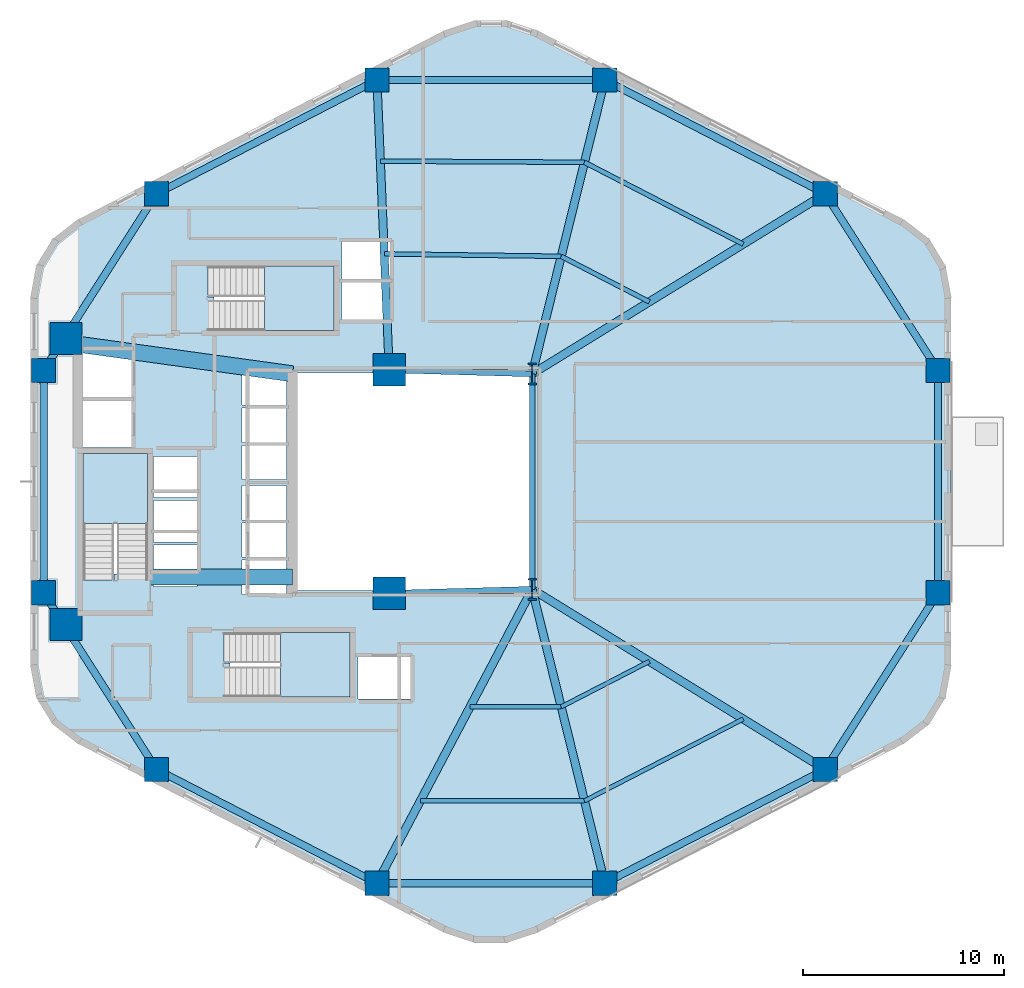
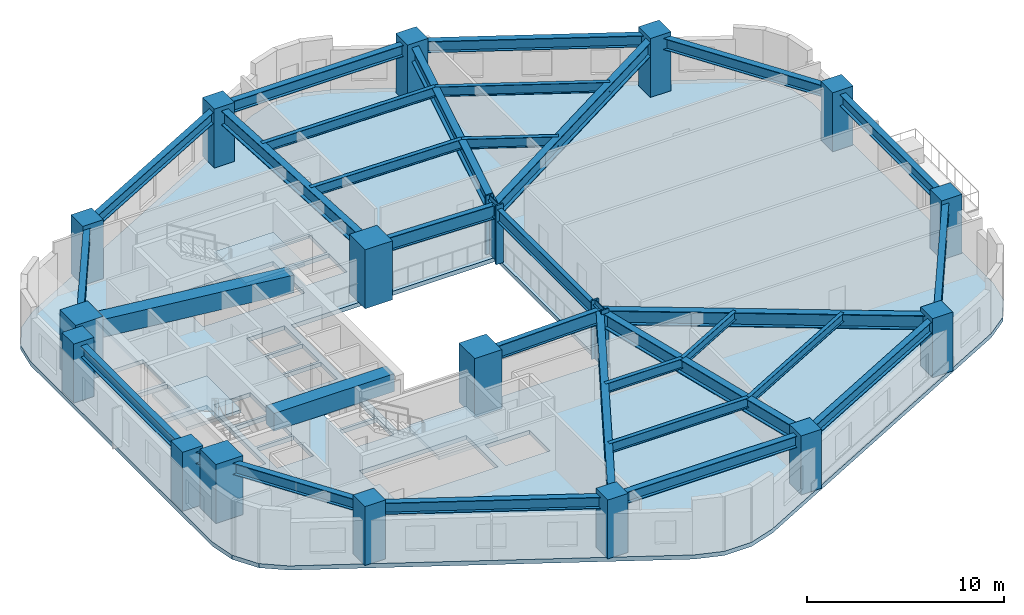
# One storey, part 1 of 7: 31 beams, 18 columns, 4 slabs, 3 elements without a shape of their own.
"""IFC4 building model written with IfcOpenShell, lengths in metres."""

import ifcopenshell
import ifcopenshell.guid

model = None  # the IFC model being written
_history = None  # IfcOwnerHistory: only IFC2X3 demands one
_inside = {}  # id of a spatial element -> (the spatial element, [elements in it])
_under = {}  # id of a project, library or spatial element -> (it, [spatial elements below it])
_declared = {}  # id of a project -> (the project, [libraries it declares])
_typed = {}  # id of a type object -> (the type object, [elements of that type])
_made_of = {}  # id of a material, layer set ... -> (it, [elements and type objects made of it])


def new_model(schema):
    """Start an empty IFC model of exactly this schema.

    Asked for "IFC4X3", IfcOpenShell would pick the latest addendum, in which some entities
    have other attributes; the version numbers below select the first issue.
    IFC2X3 requires an IfcOwnerHistory on every rooted entity: one is made here for all.
    """
    global model, _history
    if schema == "IFC4X3":
        model = ifcopenshell.file(schema_version=(4, 3, 0, 0))
    else:
        model = ifcopenshell.file(schema=schema)
    _inside.clear()
    _under.clear()
    _declared.clear()
    _typed.clear()
    _made_of.clear()
    _history = None
    if model.schema == "IFC2X3":
        org = make("IfcOrganization", Name="unknown")
        user = make(
            "IfcPersonAndOrganization",
            ThePerson=make("IfcPerson", FamilyName="unknown"),
            TheOrganization=org,
        )
        app = make(
            "IfcApplication",
            ApplicationDeveloper=org,
            Version="unknown",
            ApplicationFullName="unknown",
            ApplicationIdentifier="unknown",
        )
        _history = make(
            "IfcOwnerHistory",
            OwningUser=user,
            OwningApplication=app,
            ChangeAction="ADDED",
            CreationDate=0,
        )
    return model


def make(cls, **values):
    """One entity of the class cls with the attributes given. An attribute that is None is left unset."""
    return model.create_entity(
        cls, **{name: value for name, value in values.items() if value is not None}
    )


def rooted(cls, **values):
    """An entity with a GlobalId (a new one), such as an element, a storey or a relation."""
    return make(cls, GlobalId=ifcopenshell.guid.new(), OwnerHistory=_history, **values)


def si_unit(unit_type, name, prefix=None):
    """IfcSIUnit, for example si_unit("LENGTHUNIT", "METRE", prefix="MILLI")."""
    return make("IfcSIUnit", UnitType=unit_type, Prefix=prefix, Name=name)


def assignment(units):
    """IfcUnitAssignment: the units of a project."""
    return None if units is None else make("IfcUnitAssignment", Units=units)


def point(xyz):
    """IfcCartesianPoint."""
    return None if xyz is None else make("IfcCartesianPoint", Coordinates=xyz)


def direction(xyz):
    """IfcDirection."""
    return None if xyz is None else make("IfcDirection", DirectionRatios=xyz)


def frame(location, z_axis=None, x_axis=None):
    """IfcAxis2Placement3D, a coordinate frame: its origin and axes. An axis left out is left unset."""
    return make(
        "IfcAxis2Placement3D",
        Location=point(location),
        Axis=direction(z_axis),
        RefDirection=direction(x_axis),
    )


def frame_2d(location, x_axis=None):
    """IfcAxis2Placement2D, a coordinate frame in the plane: its origin and x axis."""
    return make(
        "IfcAxis2Placement2D", Location=point(location), RefDirection=direction(x_axis)
    )


def origin():
    """The frame at (0, 0, 0) with its axes left unset."""
    return frame((0.0, 0.0, 0.0))


def origin_2d():
    """The frame at (0, 0) in the plane with its x axis left unset."""
    return frame_2d((0.0, 0.0))


def place(relative_to, where):
    """IfcLocalPlacement: puts the frame where relative to a parent placement (None: the world)."""
    return make(
        "IfcLocalPlacement", PlacementRelTo=relative_to, RelativePlacement=where
    )


def context(
    kind, dimensions, precision=None, world=None, true_north=None, identifier=None
):
    """IfcGeometricRepresentationContext, for example the 3D "Model" context."""
    return make(
        "IfcGeometricRepresentationContext",
        ContextIdentifier=identifier,
        ContextType=kind,
        CoordinateSpaceDimension=dimensions,
        Precision=precision,
        WorldCoordinateSystem=world,
        TrueNorth=true_north,
    )


def subcontext(parent, identifier, kind, view, scale=None):
    """IfcGeometricRepresentationSubContext, for example "Body" below "Model"."""
    return make(
        "IfcGeometricRepresentationSubContext",
        ContextIdentifier=identifier,
        ContextType=kind,
        ParentContext=parent,
        TargetScale=scale,
        TargetView=view,
    )


def project(units=None, contexts=None):
    """IfcProject with its units and contexts."""
    return rooted(
        "IfcProject",
        Name="project",
        RepresentationContexts=contexts,
        UnitsInContext=assignment(units),
    )


def spatial(cls, under=None, at=None, **own):
    """A site, building, storey or space (cls), placed at a placement, below another one or the project."""
    s = rooted(cls, ObjectPlacement=at, **own)
    if under is not None:
        _under.setdefault(under.id(), (under, []))[1].append(s)
    return s


def polyline(points):
    """IfcPolyline through the points."""
    return make("IfcPolyline", Points=[point(p) for p in points])


def profile(cls, at=None, kind="AREA", **sizes):
    """A parametric profile (cls). Its sizes go by their IFC names, for example OverallWidth=200.0."""
    return make(cls, ProfileType=kind, Position=at, **sizes)


def rectangle(**sizes):
    """IfcRectangleProfileDef."""
    return profile("IfcRectangleProfileDef", **sizes)


def i_section(**sizes):
    """IfcIShapeProfileDef."""
    return profile("IfcIShapeProfileDef", **sizes)


def outline(outer, holes=None, kind="AREA"):
    """IfcArbitraryClosedProfileDef: a profile drawn as a closed curve; with holes, ...WithVoids."""
    if holes is None:
        return make("IfcArbitraryClosedProfileDef", ProfileType=kind, OuterCurve=outer)
    return make(
        "IfcArbitraryProfileDefWithVoids",
        ProfileType=kind,
        OuterCurve=outer,
        InnerCurves=holes,
    )


def extrude(swept, where, along, depth):
    """IfcExtrudedAreaSolid: the profile swept, set in the frame where, extruded along a direction by depth."""
    return make(
        "IfcExtrudedAreaSolid",
        SweptArea=swept,
        Position=where,
        ExtrudedDirection=direction(along),
        Depth=depth,
    )


def shape(context_of_items, identifier, shape_type, items):
    """IfcShapeRepresentation: the items that make up one representation, for example the "Body"."""
    return make(
        "IfcShapeRepresentation",
        ContextOfItems=context_of_items,
        RepresentationIdentifier=identifier,
        RepresentationType=shape_type,
        Items=items,
    )


def material(Name=None, Category=None):
    """IfcMaterial."""
    return make("IfcMaterial", Name=Name, Category=Category)


def layer(
    of_material, thickness, ventilated=None, Name=None, Category=None, Priority=None
):
    """IfcMaterialLayer: one layer of a wall or slab, of a material (None: an air gap)."""
    return make(
        "IfcMaterialLayer",
        Material=of_material,
        LayerThickness=thickness,
        IsVentilated=ventilated,
        Name=Name,
        Category=Category,
        Priority=Priority,
    )


def layer_set(layers, Name=None):
    """IfcMaterialLayerSet."""
    return make("IfcMaterialLayerSet", MaterialLayers=layers, LayerSetName=Name)


def material_profile(
    of_material, cross_section, Name=None, Category=None, Priority=None
):
    """IfcMaterialProfile: a cross section and its material."""
    return make(
        "IfcMaterialProfile",
        Name=Name,
        Material=of_material,
        Profile=cross_section,
        Priority=Priority,
        Category=Category,
    )


def profile_set(profiles, Name=None, composite=None):
    """IfcMaterialProfileSet."""
    return make(
        "IfcMaterialProfileSet",
        Name=Name,
        MaterialProfiles=profiles,
        CompositeProfile=composite,
    )


def made_of(thing, what):
    """Note that an element or type object is made of a material, layer set ...; save() writes the relation."""
    if what is not None:
        _made_of.setdefault(what.id(), (what, []))[1].append(thing)
    return thing


def type_object(cls, material=None, **own):
    """A type object (cls), such as IfcWallType, which elements share."""
    return made_of(rooted(cls, **own), material)


def element(
    cls,
    number,
    at=None,
    inside=None,
    cuts=None,
    type_object=None,
    material=None,
    context=None,
    identifier="Body",
    shape_type=None,
    held_by="IfcProductDefinitionShape",
    body=None,
    shapes=None,
    **own,
):
    """One element of the class cls, such as IfcWall. Its Tag is "e" and its number.

    at: its placement. inside: the storey or other place that contains it. cuts: it is an
    opening in that element (IfcRelVoidsElement). A single representation is given by context,
    identifier, shape_type and body (its items); several are given by shapes. held_by: the class
    of the entity that holds the representations. save() writes the other relations.
    """
    e = rooted(cls, Tag="e%d" % number, ObjectPlacement=at, **own)
    if body is not None:
        shapes = [shape(context, identifier, shape_type, body)]
    if shapes is not None:
        e.Representation = make(held_by, Representations=shapes)
    if inside is not None:
        _inside.setdefault(inside.id(), (inside, []))[1].append(e)
    if cuts is not None:
        rooted(
            "IfcRelVoidsElement", RelatingBuildingElement=cuts, RelatedOpeningElement=e
        )
    if type_object is not None:
        _typed.setdefault(type_object.id(), (type_object, []))[1].append(e)
    return made_of(e, material)


def aggregate(whole, parts):
    """IfcRelAggregates: a whole, such as a stair, and the parts it consists of."""
    return rooted("IfcRelAggregates", RelatingObject=whole, RelatedObjects=parts)


def save(model, path):
    """Write the relations noted so far, then the file.

    IfcRelAggregates (storeys below a building ...), IfcRelContainedInSpatialStructure (elements
    in a storey), IfcRelDefinesByType, IfcRelAssociatesMaterial and IfcRelDeclares: one each for
    every whole, place, type object, material and project.
    """
    for whole, parts in _under.values():
        aggregate(whole, parts)
    for where, things in _inside.values():
        rooted(
            "IfcRelContainedInSpatialStructure",
            RelatedElements=things,
            RelatingStructure=where,
        )
    for kind, things in _typed.values():
        rooted("IfcRelDefinesByType", RelatedObjects=things, RelatingType=kind)
    for what, things in _made_of.values():
        rooted("IfcRelAssociatesMaterial", RelatedObjects=things, RelatingMaterial=what)
    for by, libraries in _declared.values():
        rooted("IfcRelDeclares", RelatingContext=by, RelatedDefinitions=libraries)
    model.write(path)


model = new_model("IFC4")

# Units and contexts
model_context = context("Model", 3, precision=1e-05, world=origin(), true_north=direction((0.0, 1.0)))
body_context = subcontext(model_context, "Body", "Model", "MODEL_VIEW")
ifc_project = project(units=[si_unit("LENGTHUNIT", "METRE"), si_unit("AREAUNIT", "SQUARE_METRE"), si_unit("VOLUMEUNIT", "CUBIC_METRE"), si_unit("PLANEANGLEUNIT", "RADIAN"), si_unit("MASSUNIT", "GRAM", prefix="KILO"), si_unit("THERMODYNAMICTEMPERATUREUNIT", "KELVIN"), si_unit("POWERUNIT", "WATT")], contexts=[model_context])

# Site, building, storey
site_placement = place(None, origin())
site = spatial("IfcSite", under=ifc_project, at=site_placement, CompositionType="ELEMENT")
building_placement = place(site_placement, origin())
building = spatial("IfcBuilding", under=site, at=building_placement, Name="Skarre Station Tower", CompositionType="ELEMENT")
storey_placement = place(building_placement, frame((0.0, 0.0, 70.800048828125)))
storey = spatial("IfcBuildingStorey", under=building, at=storey_placement, Name="L18", CompositionType="ELEMENT", Elevation=70.800048828125)

# Columns
ifc_material_1 = material(Name="Concrete C60/75", Category="concrete")
ifc_material_profile_1 = material_profile(ifc_material_1, rectangle(XDim=1.199951171875, YDim=1.199951171875, at=origin_2d()), Name="Concrete C60/75")
ifc_profile_set_1 = profile_set([ifc_material_profile_1], Name="Concrete C60/75")
column_type_1 = type_object("IfcColumnType", Name="RC Structural Column RC-COL-1200X1200", PredefinedType="COLUMN", material=ifc_profile_set_1)
for number, where, z_axis, x_axis, name in (
    (1, (54.007080078125, 38.298095703125, 0.0), (0.0, 0.0, 1.0), (1.0, 0.0, 0.0), "L18 Zone 1 Perimeter Column F0C1"),
    (2, (43.06005859375, 43.947021484375, 0.0), (0.0, 0.0, 1.0), (1.0, 0.0, 0.0), "L18 Zone 1 Perimeter Column F0C2"),
    (3, (31.739990234375, 43.947021484375, 0.0), (0.0, 0.0, 1.0), (1.0, 0.0, 0.0), "L18 Zone 1 Perimeter Column F1C1"),
    (4, (20.79296875, 38.298095703125, 0.0), (0.0, 0.0, 1.0), (1.0, 0.0, 0.0), "L18 Zone 1 Perimeter Column F1C2"),
    (5, (15.18701171875, 29.52099609375, 0.0), (0.0, 0.0, 1.0), (1.0, 0.0, 0.0), "L18 Zone 1 Perimeter Column F2C1"),
    (6, (15.18701171875, 18.47900390625, 0.0), (0.0, 0.0, 1.0), (1.0, 0.0, 0.0), "L18 Zone 1 Perimeter Column F2C2"),
    (7, (20.79296875, 9.701904296875, 0.0), (0.0, 0.0, 1.0), (1.0, 0.0, 0.0), "L18 Zone 1 Perimeter Column F3C1"),
    (8, (31.739990234375, 4.052978515625, 0.0), (0.0, 0.0, 1.0), (1.0, 0.0, 0.0), "L18 Zone 1 Perimeter Column F3C2"),
    (9, (43.06005859375, 4.052978515625, 0.0), (0.0, 0.0, 1.0), (1.0, 0.0, 0.0), "L18 Zone 1 Perimeter Column F4C1"),
    (10, (54.007080078125, 9.701904296875, 0.0), (0.0, 0.0, 1.0), (1.0, 0.0, 0.0), "L18 Zone 1 Perimeter Column F4C2"),
    (11, (59.613037109375, 18.47900390625, 0.0), (0.0, 0.0, 1.0), (1.0, 0.0, 0.0), "L18 Zone 1 Perimeter Column F5C1"),
    (12, (59.613037109375, 29.52099609375, 0.0), (0.0, 0.0, 1.0), (1.0, 0.0, 0.0), "L18 Zone 1 Perimeter Column F5C2"),
):
    element("IfcColumn", number, at=place(storey_placement, frame(where, z_axis=z_axis, x_axis=x_axis)), inside=storey, type_object=column_type_1, Name=name, PredefinedType="COLUMN", context=body_context, shape_type="SweptSolid", body=[
        extrude(rectangle(XDim=1.199951171875, YDim=1.199951171875, at=origin_2d()), origin(), (0.0, 0.0, 1.0), 3.64990234375),
    ])
ifc_material_2 = material(Name="Concrete C70/85", Category="concrete")
ifc_material_profile_2 = material_profile(ifc_material_2, rectangle(XDim=1.60009765625, YDim=1.60009765625, at=origin_2d()), Name="Concrete C70/85")
ifc_profile_set_2 = profile_set([ifc_material_profile_2], Name="Concrete C70/85")
column_type_2 = type_object("IfcColumnType", Name="RC Structural Column RC-COL-1600X1600", PredefinedType="COLUMN", material=ifc_profile_set_2)
for number, where, z_axis, x_axis, name in (
    (13, (16.300048828125, 16.89990234375, 0.0), (0.0, 0.0, 1.0), (1.0, 0.0, 0.0), "L18 Core Column CC-SW"),
    (14, (16.300048828125, 31.10009765625, 0.0), (0.0, 0.0, 1.0), (1.0, 0.0, 0.0), "L18 Core Column CC-NW"),
    (15, (32.35009765625, 18.449951171875, 0.0), (0.0, 0.0, 1.0), (1.0, 0.0, 0.0), "L18 Core Column CC-SE"),
    (16, (32.35009765625, 29.550048828125, 0.0), (0.0, 0.0, 1.0), (1.0, 0.0, 0.0), "L18 Core Column CC-NE"),
):
    element("IfcColumn", number, at=place(storey_placement, frame(where, z_axis=z_axis, x_axis=x_axis)), inside=storey, type_object=column_type_2, Name=name, PredefinedType="COLUMN", context=body_context, shape_type="SweptSolid", body=[
        extrude(rectangle(XDim=1.60009765625, YDim=1.60009765625, at=origin_2d()), origin(), (0.0, 0.0, 1.0), 3.64990234375),
    ])
ifc_material_3 = material(Name="Steel ASTM A913 Grade 65", Category="steel")
ifc_material_profile_3 = material_profile(ifc_material_3, i_section(OverallWidth=0.424072265625, OverallDepth=1.092041015625, WebThickness=0.044921875, FlangeThickness=0.08203125, at=origin_2d()), Name="Steel ASTM A913 Grade 65")
ifc_profile_set_3 = profile_set([ifc_material_profile_3], Name="Steel ASTM A913 Grade 65")
column_type_3 = type_object("IfcColumnType", Name="Steel Column W40X593", PredefinedType="COLUMN", material=ifc_profile_set_3)
for number, where, z_axis, x_axis, name in (
    (17, (39.449951171875, 18.64990234375, 0.0), (0.0, 0.0, 1.0), (1.0, 0.0, 0.0), "L18 Atrium Spine Column AC-SE"),
    (18, (39.449951171875, 29.35009765625, 0.0), (0.0, 0.0, 1.0), (1.0, 0.0, 0.0), "L18 Atrium Spine Column AC-NE"),
):
    element("IfcColumn", number, at=place(storey_placement, frame(where, z_axis=z_axis, x_axis=x_axis)), inside=storey, type_object=column_type_3, Name=name, PredefinedType="COLUMN", context=body_context, shape_type="SweptSolid", body=[
        extrude(i_section(OverallWidth=0.424072265625, OverallDepth=1.092041015625, WebThickness=0.044921875, FlangeThickness=0.08203125, at=origin_2d()), origin(), (0.0, 0.0, 1.0), 3.64990234375),
    ])

# Beams
ifc_material_profile_4 = material_profile(ifc_material_2, rectangle(XDim=0.800048828125, YDim=1.10009765625, at=origin_2d()), Name="Concrete C70/85")
ifc_profile_set_4 = profile_set([ifc_material_profile_4], Name="Concrete C70/85")
beam_type_1 = type_object("IfcBeamType", Name="RC Core Coupling Lintel 800x1100", PredefinedType="LINTEL", material=ifc_profile_set_4)
beam_1_placement = place(storey_placement, frame((20.489990234375, 19.260009765625, 2.83984375), z_axis=(1.0, 0.0, 0.0), x_axis=(0.0, 1.0, 0.0)))
element("IfcBeam", 19, at=beam_1_placement, inside=storey, type_object=beam_type_1, Name="L18 South Core Coupling Lintel", PredefinedType="LINTEL", context=body_context, shape_type="SweptSolid", body=[
    extrude(rectangle(XDim=0.800048828125, YDim=1.10009765625, at=origin_2d()), origin(), (0.0, 0.0, 1.0), 7.06005859375),
])
beam_2_placement = place(storey_placement, frame((17.050048828125, 30.800048828125, 2.83984375), z_axis=(0.990599723633, -0.136792498109, 0.0), x_axis=(0.136792498109, 0.990599723633, 0.0)))
element("IfcBeam", 20, at=beam_2_placement, inside=storey, type_object=beam_type_1, Name="L18 North Core Coupling Lintel", PredefinedType="LINTEL", context=body_context, shape_type="SweptSolid", body=[
    extrude(rectangle(XDim=0.800048828125, YDim=1.10009765625, at=origin_2d()), origin(), (0.0, 0.0, 1.0), 10.599609375),
])
ifc_material_4 = material(Name="Steel ASTM A992 Grade 50", Category="steel")
ifc_material_profile_5 = material_profile(ifc_material_4, i_section(OverallWidth=0.26806640625, OverallDepth=0.77001953125, WebThickness=0.01611328125, FlangeThickness=0.02490234375, at=origin_2d()), Name="Steel ASTM A992 Grade 50")
ifc_profile_set_5 = profile_set([ifc_material_profile_5], Name="Steel ASTM A992 Grade 50")
beam_type_2 = type_object("IfcBeamType", Name="Steel Beam W30X132", PredefinedType="BEAM", material=ifc_profile_set_5)
beam_3_placement = place(storey_placement, frame((39.449951171875, 18.64990234375, 3.0048828125), z_axis=(0.0, 1.0, 0.0), x_axis=(-1.0, 0.0, 0.0)))
element("IfcBeam", 21, at=beam_3_placement, inside=storey, type_object=beam_type_2, Name="L18 Atrium East Edge Girder", PredefinedType="BEAM", context=body_context, shape_type="SweptSolid", body=[
    extrude(i_section(OverallWidth=0.26806640625, OverallDepth=0.77001953125, WebThickness=0.01611328125, FlangeThickness=0.02490234375, at=origin_2d()), origin(), (0.0, 0.0, 1.0), 10.7001953125),
])
ifc_material_profile_6 = material_profile(ifc_material_4, i_section(OverallWidth=0.2919921875, OverallDepth=0.85888671875, WebThickness=0.01708984375, FlangeThickness=0.031005859375, at=origin_2d()), Name="Steel ASTM A992 Grade 50")
ifc_profile_set_6 = profile_set([ifc_material_profile_6], Name="Steel ASTM A992 Grade 50")
beam_type_3 = type_object("IfcBeamType", Name="Steel Beam W33X169", PredefinedType="BEAM", material=ifc_profile_set_6)
for number, where, z_axis, x_axis, name in (
    (22, (32.35009765625, 18.449951171875, 2.9599609375), (0.999603666405, 0.028151556095, 0.0), (-0.028151556095, 0.999603666405, 0.0), "L18 Atrium South Edge Girder"),
    (23, (32.35009765625, 29.550048828125, 2.9599609375), (0.999603666405, -0.028151556095, 0.0), (0.028151556095, 0.999603666405, 0.0), "L18 Atrium North Edge Girder"),
):
    element("IfcBeam", number, at=place(storey_placement, frame(where, z_axis=z_axis, x_axis=x_axis)), inside=storey, type_object=beam_type_3, Name=name, PredefinedType="BEAM", context=body_context, shape_type="SweptSolid", body=[
        extrude(i_section(OverallWidth=0.2919921875, OverallDepth=0.85888671875, WebThickness=0.01708984375, FlangeThickness=0.031005859375, at=origin_2d()), origin(), (0.0, 0.0, 1.0), 7.102783203125),
    ])
ifc_material_profile_7 = material_profile(ifc_material_4, i_section(OverallWidth=0.40087890625, OverallDepth=0.876953125, WebThickness=0.02197265625, FlangeThickness=0.0400390625, at=origin_2d()), Name="Steel ASTM A992 Grade 50")
ifc_profile_set_7 = profile_set([ifc_material_profile_7], Name="Steel ASTM A992 Grade 50")
beam_type_4 = type_object("IfcBeamType", Name="Steel Beam W33X263", PredefinedType="BEAM", material=ifc_profile_set_7)
beam_4_placement = place(storey_placement, frame((39.449951171875, 29.35009765625, 2.950927734375), z_axis=(0.851925565957, 0.523662897358, 0.0), x_axis=(-0.523662897358, 0.851925565957, 0.0)))
element("IfcBeam", 24, at=beam_4_placement, inside=storey, type_object=beam_type_4, Name="L18 Radial Floor Girder F0C1", PredefinedType="BEAM", context=body_context, shape_type="SweptSolid", body=[
    extrude(i_section(OverallWidth=0.40087890625, OverallDepth=0.876953125, WebThickness=0.02197265625, FlangeThickness=0.0400390625, at=origin_2d()), origin(), (0.0, 0.0, 1.0), 17.08740234375),
])
beam_5_placement = place(storey_placement, frame((39.449951171875, 29.35009765625, 2.950927734375), z_axis=(0.240086037639, 0.9707516132, 0.0), x_axis=(-0.9707516132, 0.240086037639, 0.0)))
element("IfcBeam", 25, at=beam_5_placement, inside=storey, type_object=beam_type_4, Name="L18 Radial Floor Girder F0C2", PredefinedType="BEAM", context=body_context, shape_type="SweptSolid", body=[
    extrude(i_section(OverallWidth=0.40087890625, OverallDepth=0.876953125, WebThickness=0.02197265625, FlangeThickness=0.0400390625, at=origin_2d()), origin(), (0.0, 0.0, 1.0), 15.03662109375),
])
beam_6_placement = place(storey_placement, frame((32.35009765625, 29.550048828125, 2.950927734375), z_axis=(-0.042339479433, 0.999103282189, 0.0), x_axis=(-0.999103282189, -0.042339479433, 0.0)))
element("IfcBeam", 26, at=beam_6_placement, inside=storey, type_object=beam_type_4, Name="L18 Radial Floor Girder F1C1", PredefinedType="BEAM", context=body_context, shape_type="SweptSolid", body=[
    extrude(i_section(OverallWidth=0.40087890625, OverallDepth=0.876953125, WebThickness=0.02197265625, FlangeThickness=0.0400390625, at=origin_2d()), origin(), (0.0, 0.0, 1.0), 14.409912109375),
])
beam_7_placement = place(storey_placement, frame((39.449951171875, 18.64990234375, 2.950927734375), z_axis=(-0.467044240884, -0.884233949279, 0.0), x_axis=(0.884233949279, -0.467044240884, 0.0)))
element("IfcBeam", 27, at=beam_7_placement, inside=storey, type_object=beam_type_4, Name="L18 Radial Floor Girder F3C2", PredefinedType="BEAM", context=body_context, shape_type="SweptSolid", body=[
    extrude(i_section(OverallWidth=0.40087890625, OverallDepth=0.876953125, WebThickness=0.02197265625, FlangeThickness=0.0400390625, at=origin_2d()), origin(), (0.0, 0.0, 1.0), 16.508056640625),
])
beam_8_placement = place(storey_placement, frame((39.449951171875, 18.64990234375, 2.950927734375), z_axis=(0.240086037639, -0.9707516132, 0.0), x_axis=(0.9707516132, 0.240086037639, 0.0)))
element("IfcBeam", 28, at=beam_8_placement, inside=storey, type_object=beam_type_4, Name="L18 Radial Floor Girder F4C1", PredefinedType="BEAM", context=body_context, shape_type="SweptSolid", body=[
    extrude(i_section(OverallWidth=0.40087890625, OverallDepth=0.876953125, WebThickness=0.02197265625, FlangeThickness=0.0400390625, at=origin_2d()), origin(), (0.0, 0.0, 1.0), 15.03662109375),
])
beam_9_placement = place(storey_placement, frame((39.449951171875, 18.64990234375, 2.950927734375), z_axis=(0.851925565957, -0.523662897358, 0.0), x_axis=(0.523662897358, 0.851925565957, 0.0)))
element("IfcBeam", 29, at=beam_9_placement, inside=storey, type_object=beam_type_4, Name="L18 Radial Floor Girder F4C2", PredefinedType="BEAM", context=body_context, shape_type="SweptSolid", body=[
    extrude(i_section(OverallWidth=0.40087890625, OverallDepth=0.876953125, WebThickness=0.02197265625, FlangeThickness=0.0400390625, at=origin_2d()), origin(), (0.0, 0.0, 1.0), 17.08740234375),
])
ifc_material_profile_8 = material_profile(ifc_material_4, i_section(OverallWidth=0.208984375, OverallDepth=0.532958984375, WebThickness=0.010009765625, FlangeThickness=0.01611328125, at=origin_2d()), Name="Steel ASTM A992 Grade 50")
ifc_profile_set_8 = profile_set([ifc_material_profile_8], Name="Steel ASTM A992 Grade 50")
beam_type_5 = type_object("IfcBeamType", Name="Steel Joist W21X62", PredefinedType="JOIST", material=ifc_profile_set_8)
beam_10_placement = place(storey_placement, frame((40.89404296875, 12.81103515625, 3.1240234375), z_axis=(0.888626519249, 0.458631561591, 0.0), x_axis=(-0.458631561591, 0.888626519249, 0.0)))
element("IfcBeam", 30, at=beam_10_placement, inside=storey, type_object=beam_type_5, Name="L18 Auxiliary Composite Joist 7", PredefinedType="JOIST", context=body_context, shape_type="SweptSolid", body=[
    extrude(i_section(OverallWidth=0.208984375, OverallDepth=0.532958984375, WebThickness=0.010009765625, FlangeThickness=0.01611328125, at=origin_2d()), origin(), (0.0, 0.0, 1.0), 4.927734375),
])
beam_11_placement = place(storey_placement, frame((42.049072265625, 8.139892578125, 3.1240234375), z_axis=(0.88866227096, 0.458562283853, 0.0), x_axis=(-0.458562283853, 0.88866227096, 0.0)))
element("IfcBeam", 31, at=beam_11_placement, inside=storey, type_object=beam_type_5, Name="L18 Auxiliary Composite Joist 8", PredefinedType="JOIST", context=body_context, shape_type="SweptSolid", body=[
    extrude(i_section(OverallWidth=0.208984375, OverallDepth=0.532958984375, WebThickness=0.010009765625, FlangeThickness=0.01611328125, at=origin_2d()), origin(), (0.0, 0.0, 1.0), 8.869384765625),
])
ifc_material_profile_9 = material_profile(ifc_material_4, i_section(OverallWidth=0.22802734375, OverallDepth=0.60791015625, WebThickness=0.010986328125, FlangeThickness=0.01708984375, at=origin_2d()), Name="Steel ASTM A992 Grade 50")
ifc_profile_set_9 = profile_set([ifc_material_profile_9], Name="Steel ASTM A992 Grade 50")
beam_type_6 = type_object("IfcBeamType", Name="Steel Joist W24X76", PredefinedType="JOIST", material=ifc_profile_set_9)
beam_12_placement = place(storey_placement, frame((45.27294921875, 32.928955078125, 3.0859375), z_axis=(-0.888626519249, 0.458631561591, 0.0), x_axis=(-0.458631561591, -0.888626519249, 0.0)))
element("IfcBeam", 32, at=beam_12_placement, inside=storey, type_object=beam_type_6, Name="L18 Secondary Floor Joist 1", PredefinedType="JOIST", context=body_context, shape_type="SweptSolid", body=[
    extrude(i_section(OverallWidth=0.22802734375, OverallDepth=0.60791015625, WebThickness=0.010986328125, FlangeThickness=0.01708984375, at=origin_2d()), origin(), (0.0, 0.0, 1.0), 4.927734375),
])
beam_13_placement = place(storey_placement, frame((49.930908203125, 35.79296875, 3.0859375), z_axis=(-0.88866227096, 0.458562283853, 0.0), x_axis=(-0.458562283853, -0.88866227096, 0.0)))
element("IfcBeam", 33, at=beam_13_placement, inside=storey, type_object=beam_type_6, Name="L18 Secondary Floor Joist 2", PredefinedType="JOIST", context=body_context, shape_type="SweptSolid", body=[
    extrude(i_section(OverallWidth=0.22802734375, OverallDepth=0.60791015625, WebThickness=0.010986328125, FlangeThickness=0.01708984375, at=origin_2d()), origin(), (0.0, 0.0, 1.0), 8.869384765625),
])
beam_14_placement = place(storey_placement, frame((40.89404296875, 35.18896484375, 3.0859375), z_axis=(-0.999906603441, 0.013666908792, 0.0), x_axis=(-0.013666908792, -0.999906603441, 0.0)))
element("IfcBeam", 34, at=beam_14_placement, inside=storey, type_object=beam_type_6, Name="L18 Secondary Floor Joist 3", PredefinedType="JOIST", context=body_context, shape_type="SweptSolid", body=[
    extrude(i_section(OverallWidth=0.22802734375, OverallDepth=0.60791015625, WebThickness=0.010986328125, FlangeThickness=0.01708984375, at=origin_2d()), origin(), (0.0, 0.0, 1.0), 8.788818359375),
])
beam_15_placement = place(storey_placement, frame((42.049072265625, 39.860107421875, 3.0859375), z_axis=(-0.999984794845, 0.005514533498, 0.0), x_axis=(-0.005514533498, -0.999984794845, 0.0)))
element("IfcBeam", 35, at=beam_15_placement, inside=storey, type_object=beam_type_6, Name="L18 Secondary Floor Joist 4", PredefinedType="JOIST", context=body_context, shape_type="SweptSolid", body=[
    extrude(i_section(OverallWidth=0.22802734375, OverallDepth=0.60791015625, WebThickness=0.010986328125, FlangeThickness=0.01708984375, at=origin_2d()), origin(), (0.0, 0.0, 1.0), 10.138427734375),
])
beam_16_placement = place(storey_placement, frame((36.365966796875, 12.81103515625, 3.0859375), z_axis=(1.0, 0.0, 0.0), x_axis=(0.0, 1.0, 0.0)))
element("IfcBeam", 36, at=beam_16_placement, inside=storey, type_object=beam_type_6, Name="L18 Secondary Floor Joist 5", PredefinedType="JOIST", context=body_context, shape_type="SweptSolid", body=[
    extrude(i_section(OverallWidth=0.22802734375, OverallDepth=0.60791015625, WebThickness=0.010986328125, FlangeThickness=0.01708984375, at=origin_2d()), origin(), (0.0, 0.0, 1.0), 4.528076171875),
])
beam_17_placement = place(storey_placement, frame((33.89892578125, 8.139892578125, 3.0859375), z_axis=(1.0, 0.0, 0.0), x_axis=(0.0, 1.0, 0.0)))
element("IfcBeam", 37, at=beam_17_placement, inside=storey, type_object=beam_type_6, Name="L18 Secondary Floor Joist 6", PredefinedType="JOIST", context=body_context, shape_type="SweptSolid", body=[
    extrude(i_section(OverallWidth=0.22802734375, OverallDepth=0.60791015625, WebThickness=0.010986328125, FlangeThickness=0.01708984375, at=origin_2d()), origin(), (0.0, 0.0, 1.0), 8.150146484375),
])
ifc_material_profile_10 = material_profile(ifc_material_4, i_section(OverallWidth=0.35791015625, OverallDepth=0.7060546875, WebThickness=0.01806640625, FlangeThickness=0.030029296875, at=origin_2d()), Name="Steel ASTM A992 Grade 50")
ifc_profile_set_10 = profile_set([ifc_material_profile_10], Name="Steel ASTM A992 Grade 50")
beam_type_7 = type_object("IfcBeamType", Name="Steel Spandrel W27X178", PredefinedType="SPANDREL", material=ifc_profile_set_10)
beam_18_placement = place(storey_placement, frame((54.007080078125, 38.298095703125, 3.036865234375), z_axis=(-0.888658695823, 0.458569212158, 0.0), x_axis=(-0.458569212158, -0.888658695823, 0.0)))
element("IfcBeam", 38, at=beam_18_placement, inside=storey, type_object=beam_type_7, Name="L18 Facet Spandrel Beam 1", PredefinedType="SPANDREL", context=body_context, shape_type="SweptSolid", body=[
    extrude(i_section(OverallWidth=0.35791015625, OverallDepth=0.7060546875, WebThickness=0.01806640625, FlangeThickness=0.030029296875, at=origin_2d()), origin(), (0.0, 0.0, 1.0), 12.318603515625),
])
beam_19_placement = place(storey_placement, frame((43.06005859375, 43.947021484375, 3.036865234375), z_axis=(-1.0, 0.0, 0.0), x_axis=(0.0, -1.0, 0.0)))
element("IfcBeam", 39, at=beam_19_placement, inside=storey, type_object=beam_type_7, Name="L18 Facet Spandrel Beam 2", PredefinedType="SPANDREL", context=body_context, shape_type="SweptSolid", body=[
    extrude(i_section(OverallWidth=0.35791015625, OverallDepth=0.7060546875, WebThickness=0.01806640625, FlangeThickness=0.030029296875, at=origin_2d()), origin(), (0.0, 0.0, 1.0), 11.320068359375),
])
beam_20_placement = place(storey_placement, frame((31.739990234375, 43.947021484375, 3.036865234375), z_axis=(-0.888658695823, -0.458569212158, 0.0), x_axis=(0.458569212158, -0.888658695823, 0.0)))
element("IfcBeam", 40, at=beam_20_placement, inside=storey, type_object=beam_type_7, Name="L18 Facet Spandrel Beam 3", PredefinedType="SPANDREL", context=body_context, shape_type="SweptSolid", body=[
    extrude(i_section(OverallWidth=0.35791015625, OverallDepth=0.7060546875, WebThickness=0.01806640625, FlangeThickness=0.030029296875, at=origin_2d()), origin(), (0.0, 0.0, 1.0), 12.318603515625),
])
beam_21_placement = place(storey_placement, frame((20.79296875, 38.298095703125, 3.036865234375), z_axis=(-0.538277829225, -0.842767452246, 0.0), x_axis=(0.842767452246, -0.538277829225, 0.0)))
element("IfcBeam", 41, at=beam_21_placement, inside=storey, type_object=beam_type_7, Name="L18 Facet Spandrel Beam 4", PredefinedType="SPANDREL", context=body_context, shape_type="SweptSolid", body=[
    extrude(i_section(OverallWidth=0.35791015625, OverallDepth=0.7060546875, WebThickness=0.01806640625, FlangeThickness=0.030029296875, at=origin_2d()), origin(), (0.0, 0.0, 1.0), 10.41455078125),
])
beam_22_placement = place(storey_placement, frame((15.18701171875, 29.52099609375, 3.036865234375), z_axis=(0.0, -1.0, 0.0), x_axis=(1.0, 0.0, 0.0)))
element("IfcBeam", 42, at=beam_22_placement, inside=storey, type_object=beam_type_7, Name="L18 Facet Spandrel Beam 5", PredefinedType="SPANDREL", context=body_context, shape_type="SweptSolid", body=[
    extrude(i_section(OverallWidth=0.35791015625, OverallDepth=0.7060546875, WebThickness=0.01806640625, FlangeThickness=0.030029296875, at=origin_2d()), origin(), (0.0, 0.0, 1.0), 11.0419921875),
])
beam_23_placement = place(storey_placement, frame((15.18701171875, 18.47900390625, 3.036865234375), z_axis=(0.538277829225, -0.842767452246, 0.0), x_axis=(0.842767452246, 0.538277829225, 0.0)))
element("IfcBeam", 43, at=beam_23_placement, inside=storey, type_object=beam_type_7, Name="L18 Facet Spandrel Beam 6", PredefinedType="SPANDREL", context=body_context, shape_type="SweptSolid", body=[
    extrude(i_section(OverallWidth=0.35791015625, OverallDepth=0.7060546875, WebThickness=0.01806640625, FlangeThickness=0.030029296875, at=origin_2d()), origin(), (0.0, 0.0, 1.0), 10.41455078125),
])
beam_24_placement = place(storey_placement, frame((20.79296875, 9.701904296875, 3.036865234375), z_axis=(0.888658695823, -0.458569212158, 0.0), x_axis=(0.458569212158, 0.888658695823, 0.0)))
element("IfcBeam", 44, at=beam_24_placement, inside=storey, type_object=beam_type_7, Name="L18 Facet Spandrel Beam 7", PredefinedType="SPANDREL", context=body_context, shape_type="SweptSolid", body=[
    extrude(i_section(OverallWidth=0.35791015625, OverallDepth=0.7060546875, WebThickness=0.01806640625, FlangeThickness=0.030029296875, at=origin_2d()), origin(), (0.0, 0.0, 1.0), 12.318603515625),
])
beam_25_placement = place(storey_placement, frame((31.739990234375, 4.052978515625, 3.036865234375), z_axis=(1.0, 0.0, 0.0), x_axis=(0.0, 1.0, 0.0)))
element("IfcBeam", 45, at=beam_25_placement, inside=storey, type_object=beam_type_7, Name="L18 Facet Spandrel Beam 8", PredefinedType="SPANDREL", context=body_context, shape_type="SweptSolid", body=[
    extrude(i_section(OverallWidth=0.35791015625, OverallDepth=0.7060546875, WebThickness=0.01806640625, FlangeThickness=0.030029296875, at=origin_2d()), origin(), (0.0, 0.0, 1.0), 11.320068359375),
])
beam_26_placement = place(storey_placement, frame((43.06005859375, 4.052978515625, 3.036865234375), z_axis=(0.888658695823, 0.458569212158, 0.0), x_axis=(-0.458569212158, 0.888658695823, 0.0)))
element("IfcBeam", 46, at=beam_26_placement, inside=storey, type_object=beam_type_7, Name="L18 Facet Spandrel Beam 9", PredefinedType="SPANDREL", context=body_context, shape_type="SweptSolid", body=[
    extrude(i_section(OverallWidth=0.35791015625, OverallDepth=0.7060546875, WebThickness=0.01806640625, FlangeThickness=0.030029296875, at=origin_2d()), origin(), (0.0, 0.0, 1.0), 12.318603515625),
])
beam_27_placement = place(storey_placement, frame((54.007080078125, 9.701904296875, 3.036865234375), z_axis=(0.538277829225, 0.842767452246, 0.0), x_axis=(-0.842767452246, 0.538277829225, 0.0)))
element("IfcBeam", 47, at=beam_27_placement, inside=storey, type_object=beam_type_7, Name="L18 Facet Spandrel Beam 10", PredefinedType="SPANDREL", context=body_context, shape_type="SweptSolid", body=[
    extrude(i_section(OverallWidth=0.35791015625, OverallDepth=0.7060546875, WebThickness=0.01806640625, FlangeThickness=0.030029296875, at=origin_2d()), origin(), (0.0, 0.0, 1.0), 10.41455078125),
])
beam_28_placement = place(storey_placement, frame((59.613037109375, 18.47900390625, 3.036865234375), z_axis=(0.0, 1.0, 0.0), x_axis=(-1.0, 0.0, 0.0)))
element("IfcBeam", 48, at=beam_28_placement, inside=storey, type_object=beam_type_7, Name="L18 Facet Spandrel Beam 11", PredefinedType="SPANDREL", context=body_context, shape_type="SweptSolid", body=[
    extrude(i_section(OverallWidth=0.35791015625, OverallDepth=0.7060546875, WebThickness=0.01806640625, FlangeThickness=0.030029296875, at=origin_2d()), origin(), (0.0, 0.0, 1.0), 11.0419921875),
])
beam_29_placement = place(storey_placement, frame((59.613037109375, 29.52099609375, 3.036865234375), z_axis=(-0.538277829225, 0.842767452246, 0.0), x_axis=(-0.842767452246, -0.538277829225, 0.0)))
element("IfcBeam", 49, at=beam_29_placement, inside=storey, type_object=beam_type_7, Name="L18 Facet Spandrel Beam 12", PredefinedType="SPANDREL", context=body_context, shape_type="SweptSolid", body=[
    extrude(i_section(OverallWidth=0.35791015625, OverallDepth=0.7060546875, WebThickness=0.01806640625, FlangeThickness=0.030029296875, at=origin_2d()), origin(), (0.0, 0.0, 1.0), 10.41455078125),
])

# Stair, slab
ifc_material_5 = material(Name="Concrete C40/50", Category="concrete")
stair_type_1 = type_object("IfcStairType", Name="Reinforced Concrete Exit Stair ST-1", PredefinedType="HALF_TURN_STAIR", material=ifc_material_5)
stair_1_placement = place(storey_placement, origin())
stair_1 = element("IfcStair", 50, at=stair_1_placement, inside=storey, type_object=stair_type_1, Name="L18 Core Exit Stair ST-1", PredefinedType="HALF_TURN_STAIR")
ifc_layer_1 = layer(ifc_material_5, 0.219970703125, Name="Concrete C40/50")
ifc_layer_set_1 = layer_set([ifc_layer_1], Name="Concrete C40/50")
slab_type_1 = type_object("IfcSlabType", Name="Reinforced Concrete Stair & Ramp Landing 220", PredefinedType="LANDING", material=ifc_layer_set_1)
slab_1_placement = place(storey_placement, frame((0.0, 0.0, 1.625)))
slab_1 = element("IfcSlab", 51, at=slab_1_placement, type_object=slab_type_1, Name="ST-1 landing 1", PredefinedType="LANDING", context=body_context, shape_type="SweptSolid", body=[
    extrude(outline(polyline([(20.35009765625, 21.919921875), (20.35009765625, 25.39990234375), (17.14990234375, 25.39990234375), (17.14990234375, 21.919921875), (20.35009765625, 21.919921875)])), origin(), (0.0, 0.0, 1.0), 0.199951171875),
])
aggregate(stair_1, [slab_1])

stair_type_2 = type_object("IfcStairType", Name="Reinforced Concrete Exit Stair ST-2", PredefinedType="HALF_TURN_STAIR", material=ifc_material_5)
stair_2_placement = place(storey_placement, origin())
stair_2 = element("IfcStair", 52, at=stair_2_placement, inside=storey, type_object=stair_type_2, Name="L18 Core Exit Stair ST-2", PredefinedType="HALF_TURN_STAIR")
slab_2_placement = place(storey_placement, frame((0.0, 0.0, 1.625)))
slab_2 = element("IfcSlab", 53, at=slab_2_placement, type_object=slab_type_1, Name="ST-2 landing 1", PredefinedType="LANDING", context=body_context, shape_type="SweptSolid", body=[
    extrude(outline(polyline([(26.949951171875, 13.300048828125), (30.39990234375, 13.300048828125), (30.39990234375, 16.5), (26.949951171875, 16.5), (26.949951171875, 13.300048828125)])), origin(), (0.0, 0.0, 1.0), 0.199951171875),
])
aggregate(stair_2, [slab_2])

stair_type_3 = type_object("IfcStairType", Name="Reinforced Concrete Exit Stair ST-3", PredefinedType="HALF_TURN_STAIR", material=ifc_material_5)
stair_3_placement = place(storey_placement, origin())
stair_3 = element("IfcStair", 54, at=stair_3_placement, inside=storey, type_object=stair_type_3, Name="L18 Core Exit Stair ST-3", PredefinedType="HALF_TURN_STAIR")
slab_3_placement = place(storey_placement, frame((0.0, 0.0, 1.625)))
slab_3 = element("IfcSlab", 55, at=slab_3_placement, type_object=slab_type_1, Name="ST-3 landing 1", PredefinedType="LANDING", context=body_context, shape_type="SweptSolid", body=[
    extrude(outline(polyline([(26.14990234375, 31.5), (29.60009765625, 31.5), (29.60009765625, 34.699951171875), (26.14990234375, 34.699951171875), (26.14990234375, 31.5)])), origin(), (0.0, 0.0, 1.0), 0.199951171875),
])
aggregate(stair_3, [slab_3])

# Slab
ifc_material_6 = material(Name="Concrete C50/60", Category="concrete")
ifc_layer_2 = layer(ifc_material_6, 0.260009765625, Name="Concrete C50/60")
ifc_layer_set_2 = layer_set([ifc_layer_2], Name="Concrete C50/60")
slab_type_2 = type_object("IfcSlabType", Name="Tower Typical Composite Floor Slab 260", PredefinedType="FLOOR", material=ifc_layer_set_2)
slab_4_placement = place(storey_placement, frame((0.0, 0.0, -0.260009765625)))
element("IfcSlab", 56, at=slab_4_placement, inside=storey, type_object=slab_type_2, Name="L18 Zone 1 Structural Floor Slab", PredefinedType="FLOOR", context=body_context, shape_type="SweptSolid", body=[
    extrude(outline(polyline([(60.262939453125, 33.201904296875), (59.98193359375, 34.72412109375), (59.177001953125, 36.044921875), (57.9541015625, 36.991943359375), (39.708984375, 46.407958984375), (38.196044921875, 46.906005859375), (36.60400390625, 46.906005859375), (35.091064453125, 46.407958984375), (16.845947265625, 36.991943359375), (15.623046875, 36.044921875), (14.818115234375, 34.72412109375), (14.537109375, 33.201904296875), (14.537109375, 14.798095703125), (14.818115234375, 13.27587890625), (15.623046875, 11.955078125), (16.845947265625, 11.008056640625), (35.091064453125, 1.592041015625), (36.60400390625, 1.093994140625), (38.196044921875, 1.093994140625), (39.708984375, 1.592041015625), (57.9541015625, 11.008056640625), (59.177001953125, 11.955078125), (59.98193359375, 13.27587890625), (60.262939453125, 14.798095703125), (60.262939453125, 33.201904296875)]), holes=[polyline([(18.669921875, 19.419921875), (18.669921875, 19.123046875), (17.14990234375, 19.123046875), (17.14990234375, 25.39990234375), (20.35009765625, 25.39990234375), (20.35009765625, 19.419921875), (18.669921875, 19.419921875)]), polyline([(24.449951171875, 14.97998046875), (24.153076171875, 14.97998046875), (24.153076171875, 16.5), (30.39990234375, 16.5), (30.39990234375, 13.300048828125), (24.449951171875, 13.300048828125), (24.449951171875, 14.97998046875)]), polyline([(23.64990234375, 33.179931640625), (23.35302734375, 33.179931640625), (23.35302734375, 34.699951171875), (29.60009765625, 34.699951171875), (29.60009765625, 31.5), (23.64990234375, 31.5), (23.64990234375, 33.179931640625)]), polyline([(17.14990234375, 28.0), (19.550048828125, 28.0), (19.550048828125, 25.699951171875), (17.14990234375, 25.699951171875), (17.14990234375, 28.0)]), polyline([(17.14990234375, 30.5), (19.550048828125, 30.5), (19.550048828125, 28.199951171875), (17.14990234375, 28.199951171875), (17.14990234375, 30.5)]), polyline([(30.800048828125, 15.300048828125), (33.39990234375, 15.300048828125), (33.39990234375, 13.199951171875), (30.800048828125, 13.199951171875), (30.800048828125, 15.300048828125)]), polyline([(25.050048828125, 20.10009765625), (27.25, 20.10009765625), (27.25, 18.39990234375), (25.050048828125, 18.39990234375), (25.050048828125, 20.10009765625)]), polyline([(25.050048828125, 21.949951171875), (27.25, 21.949951171875), (27.25, 20.25), (25.050048828125, 20.25), (25.050048828125, 21.949951171875)]), polyline([(25.050048828125, 23.800048828125), (27.25, 23.800048828125), (27.25, 22.10009765625), (25.050048828125, 22.10009765625), (25.050048828125, 23.800048828125)]), polyline([(25.050048828125, 25.800048828125), (27.25, 25.800048828125), (27.25, 24.10009765625), (25.050048828125, 24.10009765625), (25.050048828125, 25.800048828125)]), polyline([(25.050048828125, 27.64990234375), (27.25, 27.64990234375), (27.25, 25.949951171875), (25.050048828125, 25.949951171875), (25.050048828125, 27.64990234375)]), polyline([(25.050048828125, 29.5), (27.25, 29.5), (27.25, 27.800048828125), (25.050048828125, 27.800048828125), (25.050048828125, 29.5)]), polyline([(20.64990234375, 20.85009765625), (22.800048828125, 20.85009765625), (22.800048828125, 18.800048828125), (20.64990234375, 18.800048828125), (20.64990234375, 20.85009765625)]), polyline([(20.64990234375, 23.050048828125), (22.800048828125, 23.050048828125), (22.800048828125, 21.0), (20.64990234375, 21.0), (20.64990234375, 23.050048828125)]), polyline([(20.64990234375, 25.25), (22.800048828125, 25.25), (22.800048828125, 23.199951171875), (20.64990234375, 23.199951171875), (20.64990234375, 25.25)]), polyline([(30.0, 33.89990234375), (32.39990234375, 33.89990234375), (32.39990234375, 32.050048828125), (30.0, 32.050048828125), (30.0, 33.89990234375)]), polyline([(30.0, 35.89990234375), (32.39990234375, 35.89990234375), (32.39990234375, 34.050048828125), (30.0, 34.050048828125), (30.0, 35.89990234375)]), polyline([(27.60009765625, 29.39990234375), (39.60009765625, 29.39990234375), (39.60009765625, 18.60009765625), (27.60009765625, 18.60009765625), (27.60009765625, 29.39990234375)])]), origin(), (0.0, 0.0, 1.0), 0.260009765625),
])

save(model, "model.ifc")
